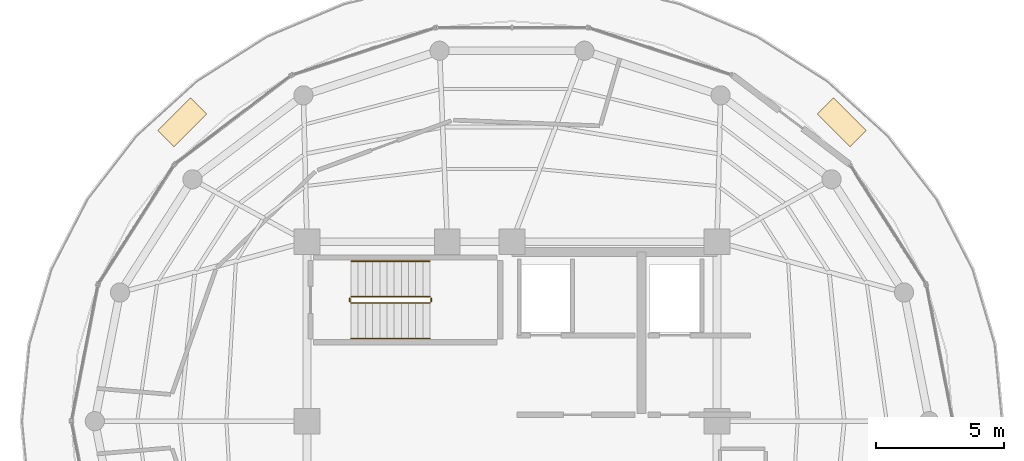
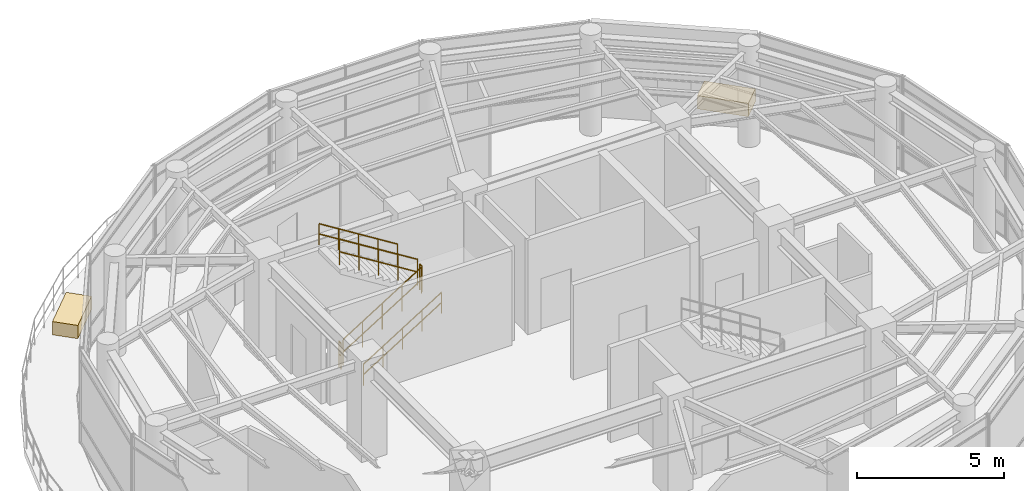
# One storey, part 20 of 20: 6 railings, 2 coverings.
"""IFC4 building model written with IfcOpenShell, lengths in metres."""

from ifc_helpers import new_model, si_unit, direction, frame, origin, origin_2d, place, context, subcontext, project, spatial, polyline, rectangle, outline, extrude, source, transform, mapped, material, layer, layer_set, type_object, element, save


model = new_model("IFC4")

# Units and contexts
model_context = context("Model", 3, precision=1e-05, world=origin(), true_north=direction((0.0, 1.0)))
body_context = subcontext(model_context, "Body", "Model", "MODEL_VIEW")
ifc_project = project(units=[si_unit("LENGTHUNIT", "METRE"), si_unit("AREAUNIT", "SQUARE_METRE"), si_unit("VOLUMEUNIT", "CUBIC_METRE"), si_unit("PLANEANGLEUNIT", "RADIAN"), si_unit("MASSUNIT", "GRAM", prefix="KILO")], contexts=[model_context])

# Site, building, storey
site_placement = place(None, origin())
site = spatial("IfcSite", under=ifc_project, at=site_placement, CompositionType="ELEMENT")
building_placement = place(site_placement, origin())
building = spatial("IfcBuilding", under=site, at=building_placement, Name="Kelanora Arch Commons", CompositionType="ELEMENT")
storey_placement = place(building_placement, frame((0.0, 0.0, 298.5)))
storey = spatial("IfcBuildingStorey", under=building, at=storey_placement, Name="L76", CompositionType="ELEMENT", Elevation=298.5)

# Railings
ifc_material_1 = material(Name="Painted steel stair well guard", Category="steel")
railing_type_1 = type_object("IfcRailingType", Name="RAIL-STAIR-GRD", PredefinedType="GUARDRAIL", material=ifc_material_1)
railing_1_placement = place(storey_placement, frame((67.719970703125, 62.610107421875, 0.175048828125)))
element("IfcRailing", 1, at=railing_1_placement, inside=storey, type_object=railing_type_1, Name="L76 ST-T1 stair guard 1", PredefinedType="GUARDRAIL", context=body_context, shape_type="SweptSolid", body=[
    extrude(outline(polyline([(0.02392578125, 0.0), (0.011962890625, 0.020751953125), (-0.011962890625, 0.020751953125), (-0.02392578125, 0.0), (-0.011962890625, -0.020751953125), (0.011962890625, -0.020751953125), (0.02392578125, 0.0)])), frame((0.0, 0.0, 1.076171875), z_axis=(0.847998304005, 0.0, 0.529998940003), x_axis=(0.0, 1.0, 0.0)), (0.0, 0.0, 1.0), 3.632080078125),
    extrude(outline(polyline([(0.02392578125, 0.0), (0.011962890625, 0.020751953125), (-0.011962890625, 0.020751953125), (-0.02392578125, 0.0), (-0.011962890625, -0.020751953125), (0.011962890625, -0.020751953125), (0.02392578125, 0.0)])), frame((0.0, 0.0, 0.550048828125), z_axis=(0.847998304005, 0.0, 0.529998940003), x_axis=(0.0, 1.0, 0.0)), (0.0, 0.0, 1.0), 3.632080078125),
    extrude(outline(polyline([(0.02099609375, 0.0), (0.010498046875, 0.01806640625), (-0.010498046875, 0.01806640625), (-0.02099609375, 0.0), (-0.010498046875, -0.01806640625), (0.010498046875, -0.01806640625), (0.02099609375, 0.0)])), origin(), (0.0, 0.0, 1.0), 1.052001953125),
    extrude(outline(polyline([(0.02099609375, 0.0), (0.010498046875, 0.01806640625), (-0.010498046875, 0.01806640625), (-0.02099609375, 0.0), (-0.010498046875, -0.01806640625), (0.010498046875, -0.01806640625), (0.02099609375, 0.0)])), frame((0.77001953125, 0.0, 0.481201171875)), (0.0, 0.0, 1.0), 1.052001953125),
    extrude(outline(polyline([(0.02099609375, 0.0), (0.010498046875, 0.01806640625), (-0.010498046875, 0.01806640625), (-0.02099609375, 0.0), (-0.010498046875, -0.01806640625), (0.010498046875, -0.01806640625), (0.02099609375, 0.0)])), frame((1.5400390625, 0.0, 0.96240234375)), (0.0, 0.0, 1.0), 1.052001953125),
    extrude(outline(polyline([(0.02099609375, 0.0), (0.010498046875, 0.01806640625), (-0.010498046875, 0.01806640625), (-0.02099609375, 0.0), (-0.010498046875, -0.01806640625), (0.010498046875, -0.01806640625), (0.02099609375, 0.0)])), frame((2.31005859375, 0.0, 1.44384765625)), (0.0, 0.0, 1.0), 1.052001953125),
    extrude(outline(polyline([(0.02099609375, 0.0), (0.010498046875, 0.01806640625), (-0.010498046875, 0.01806640625), (-0.02099609375, 0.0), (-0.010498046875, -0.01806640625), (0.010498046875, -0.01806640625), (0.02099609375, 0.0)])), frame((3.080078125, 0.0, 1.925048828125)), (0.0, 0.0, 1.0), 1.052001953125),
])
railing_2_placement = place(storey_placement, frame((70.85009765625, 62.659912109375, 2.10009765625)))
element("IfcRailing", 2, at=railing_2_placement, inside=storey, type_object=railing_type_1, Name="L76 ST-T1 stair guard 2", PredefinedType="GUARDRAIL", context=body_context, shape_type="SweptSolid", body=[
    extrude(outline(polyline([(0.02392578125, 0.0), (0.011962890625, 0.020751953125), (-0.011962890625, 0.020751953125), (-0.02392578125, 0.0), (-0.011962890625, -0.020751953125), (0.011962890625, -0.020751953125), (0.02392578125, 0.0)])), frame((0.0, 0.0, 1.076171875), z_axis=(0.0, 1.0, 0.0), x_axis=(-1.0, 0.0, 0.0)), (0.0, 0.0, 1.0), 0.150146484375),
    extrude(outline(polyline([(0.02392578125, 0.0), (0.011962890625, 0.020751953125), (-0.011962890625, 0.020751953125), (-0.02392578125, 0.0), (-0.011962890625, -0.020751953125), (0.011962890625, -0.020751953125), (0.02392578125, 0.0)])), frame((0.0, 0.0, 0.550048828125), z_axis=(0.0, 1.0, 0.0), x_axis=(-1.0, 0.0, 0.0)), (0.0, 0.0, 1.0), 0.150146484375),
    extrude(outline(polyline([(0.02099609375, 0.0), (0.010498046875, 0.01806640625), (-0.010498046875, 0.01806640625), (-0.02099609375, 0.0), (-0.010498046875, -0.01806640625), (0.010498046875, -0.01806640625), (0.02099609375, 0.0)])), origin(), (0.0, 0.0, 1.0), 1.052001953125),
    extrude(outline(polyline([(0.02099609375, 0.0), (0.010498046875, 0.01806640625), (-0.010498046875, 0.01806640625), (-0.02099609375, 0.0), (-0.010498046875, -0.01806640625), (0.010498046875, -0.01806640625), (0.02099609375, 0.0)])), frame((0.0, 0.150146484375, 0.0)), (0.0, 0.0, 1.0), 1.052001953125),
])
railing_3_placement = place(storey_placement, frame((70.800048828125, 62.860107421875, 2.27490234375)))
element("IfcRailing", 3, at=railing_3_placement, inside=storey, type_object=railing_type_1, Name="L76 ST-T1 stair guard 3", PredefinedType="GUARDRAIL", context=body_context, shape_type="SweptSolid", body=[
    extrude(outline(polyline([(0.02392578125, 0.0), (0.011962890625, 0.020751953125), (-0.011962890625, 0.020751953125), (-0.02392578125, 0.0), (-0.011962890625, -0.020751953125), (0.011962890625, -0.020751953125), (0.02392578125, 0.0)])), frame((0.0, 0.0, 1.076171875), z_axis=(-0.847998304005, 0.0, 0.529998940003), x_axis=(0.0, -1.0, 0.0)), (0.0, 0.0, 1.0), 3.632080078125),
    extrude(outline(polyline([(0.02392578125, 0.0), (0.011962890625, 0.020751953125), (-0.011962890625, 0.020751953125), (-0.02392578125, 0.0), (-0.011962890625, -0.020751953125), (0.011962890625, -0.020751953125), (0.02392578125, 0.0)])), frame((0.0, 0.0, 0.550048828125), z_axis=(-0.847998304005, 0.0, 0.529998940003), x_axis=(0.0, -1.0, 0.0)), (0.0, 0.0, 1.0), 3.632080078125),
    extrude(outline(polyline([(0.02099609375, 0.0), (0.010498046875, 0.01806640625), (-0.010498046875, 0.01806640625), (-0.02099609375, 0.0), (-0.010498046875, -0.01806640625), (0.010498046875, -0.01806640625), (0.02099609375, 0.0)])), origin(), (0.0, 0.0, 1.0), 1.052001953125),
    extrude(outline(polyline([(0.02099609375, 0.0), (0.010498046875, 0.01806640625), (-0.010498046875, 0.01806640625), (-0.02099609375, 0.0), (-0.010498046875, -0.01806640625), (0.010498046875, -0.01806640625), (0.02099609375, 0.0)])), frame((-0.77001953125, 0.0, 0.481201171875)), (0.0, 0.0, 1.0), 1.052001953125),
    extrude(outline(polyline([(0.02099609375, 0.0), (0.010498046875, 0.01806640625), (-0.010498046875, 0.01806640625), (-0.02099609375, 0.0), (-0.010498046875, -0.01806640625), (0.010498046875, -0.01806640625), (0.02099609375, 0.0)])), frame((-1.5400390625, 0.0, 0.96240234375)), (0.0, 0.0, 1.0), 1.052001953125),
    extrude(outline(polyline([(0.02099609375, 0.0), (0.010498046875, 0.01806640625), (-0.010498046875, 0.01806640625), (-0.02099609375, 0.0), (-0.010498046875, -0.01806640625), (0.010498046875, -0.01806640625), (0.02099609375, 0.0)])), frame((-2.31005859375, 0.0, 1.44384765625)), (0.0, 0.0, 1.0), 1.052001953125),
    extrude(outline(polyline([(0.02099609375, 0.0), (0.010498046875, 0.01806640625), (-0.010498046875, 0.01806640625), (-0.02099609375, 0.0), (-0.010498046875, -0.01806640625), (0.010498046875, -0.01806640625), (0.02099609375, 0.0)])), frame((-3.080078125, 0.0, 1.925048828125)), (0.0, 0.0, 1.0), 1.052001953125),
])
railing_4_placement = place(storey_placement, frame((67.669921875, 62.659912109375, 0.0)))
element("IfcRailing", 4, at=railing_4_placement, inside=storey, type_object=railing_type_1, Name="L76 ST-T1 stair guard 4", PredefinedType="GUARDRAIL", context=body_context, shape_type="SweptSolid", body=[
    extrude(outline(polyline([(0.02392578125, 0.0), (0.011962890625, 0.020751953125), (-0.011962890625, 0.020751953125), (-0.02392578125, 0.0), (-0.011962890625, -0.020751953125), (0.011962890625, -0.020751953125), (0.02392578125, 0.0)])), frame((0.0, 0.0, 1.076171875), z_axis=(0.0, 1.0, 0.0), x_axis=(-1.0, 0.0, 0.0)), (0.0, 0.0, 1.0), 0.150146484375),
    extrude(outline(polyline([(0.02392578125, 0.0), (0.011962890625, 0.020751953125), (-0.011962890625, 0.020751953125), (-0.02392578125, 0.0), (-0.011962890625, -0.020751953125), (0.011962890625, -0.020751953125), (0.02392578125, 0.0)])), frame((0.0, 0.0, 0.550048828125), z_axis=(0.0, 1.0, 0.0), x_axis=(-1.0, 0.0, 0.0)), (0.0, 0.0, 1.0), 0.150146484375),
    extrude(outline(polyline([(0.02099609375, 0.0), (0.010498046875, 0.01806640625), (-0.010498046875, 0.01806640625), (-0.02099609375, 0.0), (-0.010498046875, -0.01806640625), (0.010498046875, -0.01806640625), (0.02099609375, 0.0)])), origin(), (0.0, 0.0, 1.0), 1.052001953125),
    extrude(outline(polyline([(0.02099609375, 0.0), (0.010498046875, 0.01806640625), (-0.010498046875, 0.01806640625), (-0.02099609375, 0.0), (-0.010498046875, -0.01806640625), (0.010498046875, -0.01806640625), (0.02099609375, 0.0)])), frame((0.0, 0.150146484375, 0.0)), (0.0, 0.0, 1.0), 1.052001953125),
])
ifc_material_2 = material(Name="Brushed stainless steel stair handrail", Category="steel")
railing_type_2 = type_object("IfcRailingType", Name="RAIL-STAIR-HND", PredefinedType="HANDRAIL", material=ifc_material_2)
railing_5_placement = place(storey_placement, frame((67.719970703125, 61.22998046875, 0.175048828125)))
element("IfcRailing", 5, at=railing_5_placement, inside=storey, type_object=railing_type_2, Name="L76 ST-T1 stair handrail 1", PredefinedType="HANDRAIL", context=body_context, shape_type="SweptSolid", body=[
    extrude(outline(polyline([(0.02392578125, 0.0), (0.011962890625, 0.020751953125), (-0.011962890625, 0.020751953125), (-0.02392578125, 0.0), (-0.011962890625, -0.020751953125), (0.011962890625, -0.020751953125), (0.02392578125, 0.0)])), frame((0.0, 0.0, 0.8759765625), z_axis=(0.847998304005, 0.0, 0.529998940003), x_axis=(0.0, 1.0, 0.0)), (0.0, 0.0, 1.0), 3.632080078125),
    extrude(outline(polyline([(0.02392578125, 0.0), (0.011962890625, 0.020751953125), (-0.011962890625, 0.020751953125), (-0.02392578125, 0.0), (-0.011962890625, -0.020751953125), (0.011962890625, -0.020751953125), (0.02392578125, 0.0)])), frame((0.0, 0.0, 0.449951171875), z_axis=(0.847998304005, 0.0, 0.529998940003), x_axis=(0.0, 1.0, 0.0)), (0.0, 0.0, 1.0), 3.632080078125),
    extrude(outline(polyline([(0.02099609375, 0.0), (0.010498046875, 0.01806640625), (-0.010498046875, 0.01806640625), (-0.02099609375, 0.0), (-0.010498046875, -0.01806640625), (0.010498046875, -0.01806640625), (0.02099609375, 0.0)])), origin(), (0.0, 0.0, 1.0), 0.851806640625),
    extrude(outline(polyline([(0.02099609375, 0.0), (0.010498046875, 0.01806640625), (-0.010498046875, 0.01806640625), (-0.02099609375, 0.0), (-0.010498046875, -0.01806640625), (0.010498046875, -0.01806640625), (0.02099609375, 0.0)])), frame((0.77001953125, 0.0, 0.481201171875)), (0.0, 0.0, 1.0), 0.851806640625),
    extrude(outline(polyline([(0.02099609375, 0.0), (0.010498046875, 0.01806640625), (-0.010498046875, 0.01806640625), (-0.02099609375, 0.0), (-0.010498046875, -0.01806640625), (0.010498046875, -0.01806640625), (0.02099609375, 0.0)])), frame((1.5400390625, 0.0, 0.96240234375)), (0.0, 0.0, 1.0), 0.851806640625),
    extrude(outline(polyline([(0.02099609375, 0.0), (0.010498046875, 0.01806640625), (-0.010498046875, 0.01806640625), (-0.02099609375, 0.0), (-0.010498046875, -0.01806640625), (0.010498046875, -0.01806640625), (0.02099609375, 0.0)])), frame((2.31005859375, 0.0, 1.44384765625)), (0.0, 0.0, 1.0), 0.851806640625),
    extrude(outline(polyline([(0.02099609375, 0.0), (0.010498046875, 0.01806640625), (-0.010498046875, 0.01806640625), (-0.02099609375, 0.0), (-0.010498046875, -0.01806640625), (0.010498046875, -0.01806640625), (0.02099609375, 0.0)])), frame((3.080078125, 0.0, 1.925048828125)), (0.0, 0.0, 1.0), 0.851806640625),
])
railing_6_placement = place(storey_placement, frame((70.800048828125, 64.239990234375, 2.27490234375)))
element("IfcRailing", 6, at=railing_6_placement, inside=storey, type_object=railing_type_2, Name="L76 ST-T1 stair handrail 2", PredefinedType="HANDRAIL", context=body_context, shape_type="SweptSolid", body=[
    extrude(outline(polyline([(0.02392578125, 0.0), (0.011962890625, 0.020751953125), (-0.011962890625, 0.020751953125), (-0.02392578125, 0.0), (-0.011962890625, -0.020751953125), (0.011962890625, -0.020751953125), (0.02392578125, 0.0)])), frame((0.0, 0.0, 0.8759765625), z_axis=(-0.847998304005, 0.0, 0.529998940003), x_axis=(0.0, -1.0, 0.0)), (0.0, 0.0, 1.0), 3.632080078125),
    extrude(outline(polyline([(0.02392578125, 0.0), (0.011962890625, 0.020751953125), (-0.011962890625, 0.020751953125), (-0.02392578125, 0.0), (-0.011962890625, -0.020751953125), (0.011962890625, -0.020751953125), (0.02392578125, 0.0)])), frame((0.0, 0.0, 0.449951171875), z_axis=(-0.847998304005, 0.0, 0.529998940003), x_axis=(0.0, -1.0, 0.0)), (0.0, 0.0, 1.0), 3.632080078125),
    extrude(outline(polyline([(0.02099609375, 0.0), (0.010498046875, 0.01806640625), (-0.010498046875, 0.01806640625), (-0.02099609375, 0.0), (-0.010498046875, -0.01806640625), (0.010498046875, -0.01806640625), (0.02099609375, 0.0)])), origin(), (0.0, 0.0, 1.0), 0.851806640625),
    extrude(outline(polyline([(0.02099609375, 0.0), (0.010498046875, 0.01806640625), (-0.010498046875, 0.01806640625), (-0.02099609375, 0.0), (-0.010498046875, -0.01806640625), (0.010498046875, -0.01806640625), (0.02099609375, 0.0)])), frame((-0.77001953125, 0.0, 0.481201171875)), (0.0, 0.0, 1.0), 0.851806640625),
    extrude(outline(polyline([(0.02099609375, 0.0), (0.010498046875, 0.01806640625), (-0.010498046875, 0.01806640625), (-0.02099609375, 0.0), (-0.010498046875, -0.01806640625), (0.010498046875, -0.01806640625), (0.02099609375, 0.0)])), frame((-1.5400390625, 0.0, 0.96240234375)), (0.0, 0.0, 1.0), 0.851806640625),
    extrude(outline(polyline([(0.02099609375, 0.0), (0.010498046875, 0.01806640625), (-0.010498046875, 0.01806640625), (-0.02099609375, 0.0), (-0.010498046875, -0.01806640625), (0.010498046875, -0.01806640625), (0.02099609375, 0.0)])), frame((-2.31005859375, 0.0, 1.44384765625)), (0.0, 0.0, 1.0), 0.851806640625),
    extrude(outline(polyline([(0.02099609375, 0.0), (0.010498046875, 0.01806640625), (-0.010498046875, 0.01806640625), (-0.02099609375, 0.0), (-0.010498046875, -0.01806640625), (0.010498046875, -0.01806640625), (0.02099609375, 0.0)])), frame((-3.080078125, 0.0, 1.925048828125)), (0.0, 0.0, 1.0), 0.851806640625),
])

# Coverings
ifc_material_3 = material(Name="Architectural terracotta planter bed with planting soil", Category="masonry")
ifc_layer = layer(ifc_material_3, 0.550048828125)
ifc_layer_set = layer_set([ifc_layer], Name="Architectural terracotta planter bed with planting soil")
covering_type = type_object("IfcCoveringType", Name="COV-PLANTER", PredefinedType="USERDEFINED", material=ifc_layer_set)
shared_shape = source(origin(), body_context, "Body", "SweptSolid", [
    extrude(rectangle(XDim=1.800048828125, YDim=0.89990234375, at=origin_2d()), origin(), (0.0, 0.0, 1.0), 0.550048828125),
])
for number, where, z_axis, x_axis, name in (
    (7, (86.869384765625, 69.667236328125, 0.0), (0.0, 0.0, 1.0), (-0.707106781187, 0.707106781187, 0.0), "Sky-Terrace Planter L76-1"),
    (8, (61.130615234375, 69.667236328125, 0.0), (0.0, 0.0, 1.0), (-0.707106781187, -0.707106781187, 0.0), "Sky-Terrace Planter L76-2"),
):
    element("IfcCovering", number, at=place(storey_placement, frame(where, z_axis=z_axis, x_axis=x_axis)), inside=storey, type_object=covering_type, Name=name, ObjectType="PLANTER", PredefinedType="USERDEFINED", context=body_context, shape_type="MappedRepresentation", body=[
        mapped(shared_shape, transform((0.0, 0.0, 0.0), scale=1.0)),
    ])

save(model, "model.ifc")
